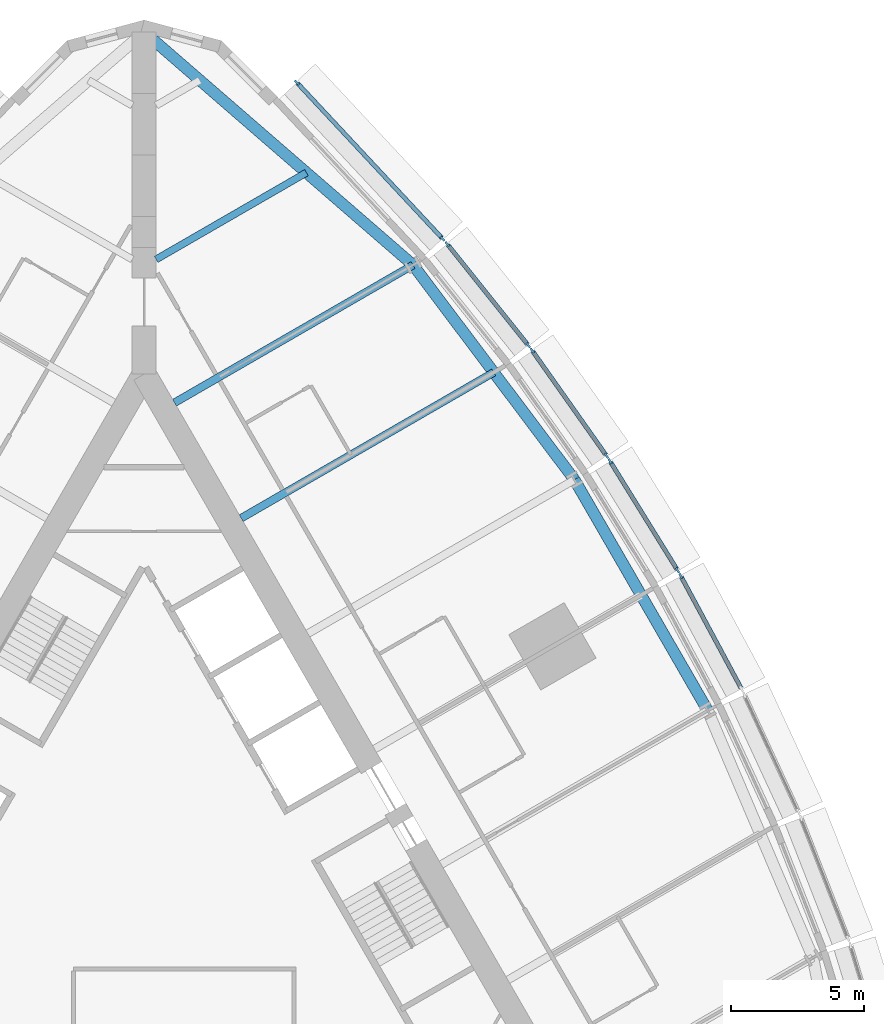
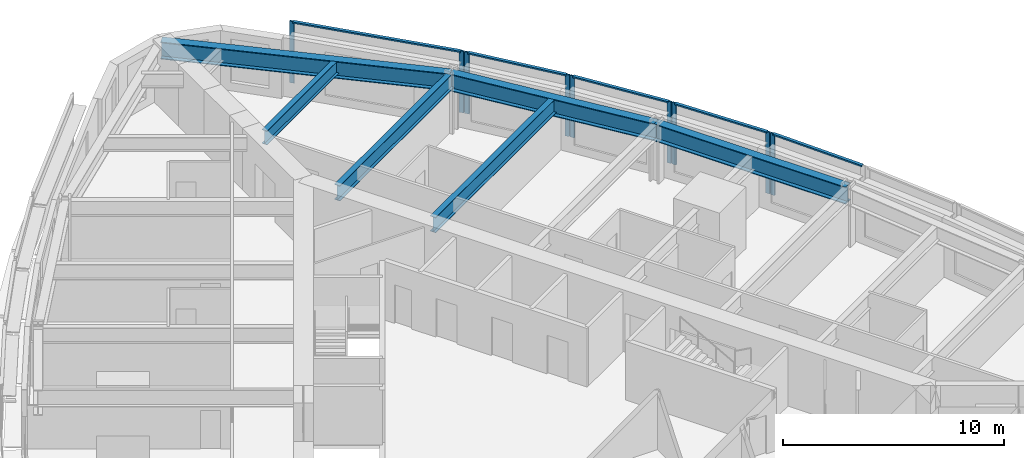
# One storey, part 5 of 14: 14 members, 6 beams, 5 elements without a shape of their own.
"""IFC4 building model written with IfcOpenShell, lengths in metres."""

from ifc_helpers import new_model, si_unit, direction, frame, origin, origin_2d, place, context, subcontext, project, spatial, rectangle, i_section, extrude, material, material_profile, profile_set, type_object, element, aggregate, save


model = new_model("IFC4")

# Units and contexts
model_context = context("Model", 3, precision=1e-05, world=origin(), true_north=direction((0.0, 1.0)))
body_context = subcontext(model_context, "Body", "Model", "MODEL_VIEW")
ifc_project = project(units=[si_unit("LENGTHUNIT", "METRE"), si_unit("AREAUNIT", "SQUARE_METRE"), si_unit("VOLUMEUNIT", "CUBIC_METRE"), si_unit("PLANEANGLEUNIT", "RADIAN"), si_unit("MASSUNIT", "GRAM", prefix="KILO")], contexts=[model_context])

# Site, building, storey
site_placement = place(None, origin())
site = spatial("IfcSite", under=ifc_project, at=site_placement, CompositionType="ELEMENT")
building_placement = place(site_placement, origin())
building = spatial("IfcBuilding", under=site, at=building_placement, Name="Trikona Tower", CompositionType="ELEMENT")
storey_placement = place(building_placement, frame((0.0, 0.0, 96.5)))
storey = spatial("IfcBuildingStorey", under=building, at=storey_placement, Name="L25", CompositionType="ELEMENT", Elevation=96.5)

# Curtain wall, member
ifc_material_1 = material(Name="Aluminium curtain wall system", Category="aluminium")
curtain_wall_type = type_object("IfcCurtainWallType", Name="Curtain wall DS1", PredefinedType="NOTDEFINED", material=ifc_material_1)
curtain_wall_1_placement = place(storey_placement, origin())
curtain_wall_1 = element("IfcCurtainWall", 1, at=curtain_wall_1_placement, inside=storey, type_object=curtain_wall_type, Name="Curtain wall DS1 L25", PredefinedType="NOTDEFINED")
ifc_material_2 = material(Name="Aluminium mullion, pale anodised", Category="aluminium")
ifc_material_profile_1 = material_profile(ifc_material_2, rectangle(XDim=0.080078125, YDim=0.219970703125, at=origin_2d()), Name="MUL-DS1")
ifc_profile_set_1 = profile_set([ifc_material_profile_1], Name="Aluminium mullion, pale anodised")
member_type_1 = type_object("IfcMemberType", Name="Mullion DS1 80x220", PredefinedType="MULLION", material=ifc_profile_set_1)
member_1_placement = place(storey_placement, frame((20.128662109375, 11.474365234375, 0.0), z_axis=(0.0, 0.0, 1.0), x_axis=(-0.880843080975, -0.473408350896, 0.0)))
member_1 = element("IfcMember", 2, at=member_1_placement, type_object=member_type_1, Name="CW-DS1 mullion 2", PredefinedType="MULLION", context=body_context, shape_type="SweptSolid", body=[
    extrude(rectangle(XDim=0.080078125, YDim=0.219970703125, at=origin_2d()), origin(), (0.0, 0.0, 1.0), 3.39990234375),
])

# Curtain wall, members
curtain_wall_2_placement = place(storey_placement, origin())
curtain_wall_2 = element("IfcCurtainWall", 3, at=curtain_wall_2_placement, inside=storey, type_object=curtain_wall_type, Name="Curtain wall DS1 L25", PredefinedType="NOTDEFINED")
member_2_placement = place(storey_placement, frame((20.00146484375, 11.69482421875, 0.0), z_axis=(0.0, 0.0, 1.0), x_axis=(-0.850410468941, -0.526119790842, 0.0)))
member_2 = element("IfcMember", 4, at=member_2_placement, type_object=member_type_1, Name="CW-DS1 mullion 1", PredefinedType="MULLION", context=body_context, shape_type="SweptSolid", body=[
    extrude(rectangle(XDim=0.080078125, YDim=0.219970703125, at=origin_2d()), origin(), (0.0, 0.0, 1.0), 3.39990234375),
])
member_3_placement = place(storey_placement, frame((17.474853515625, 15.77880859375, 0.0), z_axis=(0.0, 0.0, 1.0), x_axis=(-0.850410468941, -0.526119790842, 0.0)))
member_3 = element("IfcMember", 5, at=member_3_placement, type_object=member_type_1, Name="CW-DS1 mullion 2", PredefinedType="MULLION", context=body_context, shape_type="SweptSolid", body=[
    extrude(rectangle(XDim=0.080078125, YDim=0.219970703125, at=origin_2d()), origin(), (0.0, 0.0, 1.0), 3.39990234375),
])

curtain_wall_3_placement = place(storey_placement, origin())
curtain_wall_3 = element("IfcCurtainWall", 6, at=curtain_wall_3_placement, inside=storey, type_object=curtain_wall_type, Name="Curtain wall DS1 L25", PredefinedType="NOTDEFINED")
member_4_placement = place(storey_placement, frame((17.33447265625, 15.990966796875, 0.0), z_axis=(0.0, 0.0, 1.0), x_axis=(-0.816985393055, -0.576658362928, 0.0)))
member_4 = element("IfcMember", 7, at=member_4_placement, type_object=member_type_1, Name="CW-DS1 mullion 1", PredefinedType="MULLION", context=body_context, shape_type="SweptSolid", body=[
    extrude(rectangle(XDim=0.080078125, YDim=0.219970703125, at=origin_2d()), origin(), (0.0, 0.0, 1.0), 3.39990234375),
])
member_5_placement = place(storey_placement, frame((14.554443359375, 19.929443359375, 0.0), z_axis=(0.0, 0.0, 1.0), x_axis=(-0.816985393055, -0.576658362928, 0.0)))
member_5 = element("IfcMember", 8, at=member_5_placement, type_object=member_type_1, Name="CW-DS1 mullion 2", PredefinedType="MULLION", context=body_context, shape_type="SweptSolid", body=[
    extrude(rectangle(XDim=0.080078125, YDim=0.219970703125, at=origin_2d()), origin(), (0.0, 0.0, 1.0), 3.39990234375),
])

curtain_wall_4_placement = place(storey_placement, origin())
curtain_wall_4 = element("IfcCurtainWall", 9, at=curtain_wall_4_placement, inside=storey, type_object=curtain_wall_type, Name="Curtain wall DS1 L25", PredefinedType="NOTDEFINED")
member_6_placement = place(storey_placement, frame((14.40185546875, 20.13232421875, 0.0), z_axis=(0.0, 0.0, 1.0), x_axis=(-0.780937959679, -0.624608599951, 0.0)))
member_6 = element("IfcMember", 10, at=member_6_placement, type_object=member_type_1, Name="CW-DS1 mullion 1", PredefinedType="MULLION", context=body_context, shape_type="SweptSolid", body=[
    extrude(rectangle(XDim=0.080078125, YDim=0.219970703125, at=origin_2d()), origin(), (0.0, 0.0, 1.0), 3.39990234375),
])
member_7_placement = place(storey_placement, frame((11.36767578125, 23.926025390625, 0.0), z_axis=(0.0, 0.0, 1.0), x_axis=(-0.780937959679, -0.624608599951, 0.0)))
member_7 = element("IfcMember", 11, at=member_7_placement, type_object=member_type_1, Name="CW-DS1 mullion 2", PredefinedType="MULLION", context=body_context, shape_type="SweptSolid", body=[
    extrude(rectangle(XDim=0.080078125, YDim=0.219970703125, at=origin_2d()), origin(), (0.0, 0.0, 1.0), 3.39990234375),
])

curtain_wall_5_placement = place(storey_placement, origin())
curtain_wall_5 = element("IfcCurtainWall", 12, at=curtain_wall_5_placement, inside=storey, type_object=curtain_wall_type, Name="Curtain wall DS1 L25", PredefinedType="NOTDEFINED")
member_8_placement = place(storey_placement, frame((11.192138671875, 24.129150390625, 0.0), z_axis=(0.0, 0.0, 1.0), x_axis=(-0.731076639405, -0.682295351967, 0.0)))
member_8 = element("IfcMember", 13, at=member_8_placement, type_object=member_type_1, Name="CW-DS1 mullion 1", PredefinedType="MULLION", context=body_context, shape_type="SweptSolid", body=[
    extrude(rectangle(XDim=0.080078125, YDim=0.219970703125, at=origin_2d()), origin(), (0.0, 0.0, 1.0), 3.39990234375),
])
member_9_placement = place(storey_placement, frame((5.72607421875, 29.98583984375, 0.0), z_axis=(0.0, 0.0, 1.0), x_axis=(-0.731076639405, -0.682295351967, 0.0)))
member_9 = element("IfcMember", 14, at=member_9_placement, type_object=member_type_1, Name="CW-DS1 mullion 2", PredefinedType="MULLION", context=body_context, shape_type="SweptSolid", body=[
    extrude(rectangle(XDim=0.080078125, YDim=0.219970703125, at=origin_2d()), origin(), (0.0, 0.0, 1.0), 3.39990234375),
])

# Beams
ifc_material_3 = material(Name="Steel ASTM A992 Grade 50", Category="steel")
ifc_material_profile_2 = material_profile(ifc_material_3, i_section(OverallWidth=0.2666015625, OverallDepth=0.76953125, WebThickness=0.015625, FlangeThickness=0.025390625, at=origin_2d()), Name="W30X132")
ifc_profile_set_2 = profile_set([ifc_material_profile_2], Name="Steel ASTM A992 Grade 50")
beam_type_1 = type_object("IfcBeamType", Name="Steel beam W30x132 (wedge)", PredefinedType="BEAM", material=ifc_profile_set_2)
beam_1_placement = place(storey_placement, frame((0.449951171875, 23.353759765625, 2.85009765625), z_axis=(0.866022504693, 0.50000502134, 0.0), x_axis=(-0.50000502134, 0.866022504693, 0.0)))
element("IfcBeam", 15, at=beam_1_placement, inside=storey, type_object=beam_type_1, Name="Floor beam L26 F2 u20", PredefinedType="BEAM", context=body_context, shape_type="SweptSolid", body=[
    extrude(i_section(OverallWidth=0.2666015625, OverallDepth=0.76953125, WebThickness=0.015625, FlangeThickness=0.025390625, at=origin_2d()), origin(), (0.0, 0.0, 1.0), 6.5068359375),
])
ifc_material_4 = material(Name="Steel ASTM A992 Grade 50", Category="steel")
ifc_material_profile_3 = material_profile(ifc_material_4, i_section(OverallWidth=0.2919921875, OverallDepth=0.845703125, WebThickness=0.015380859375, FlangeThickness=0.0244140625, at=origin_2d()), Name="W33X141")
ifc_profile_set_3 = profile_set([ifc_material_profile_3], Name="Steel ASTM A992 Grade 50")
beam_type_2 = type_object("IfcBeamType", Name="Steel beam W33x141 (radial typ)", PredefinedType="BEAM", material=ifc_profile_set_3)
beam_2_placement = place(storey_placement, frame((3.6396484375, 13.6484375, 2.81201171875), z_axis=(0.866025348605, 0.500000095573, 0.0), x_axis=(-0.500000095573, 0.866025348605, 0.0)))
element("IfcBeam", 16, at=beam_2_placement, inside=storey, type_object=beam_type_2, Name="Floor beam L26 F2 u10", PredefinedType="BEAM", context=body_context, shape_type="SweptSolid", body=[
    extrude(i_section(OverallWidth=0.2919921875, OverallDepth=0.845703125, WebThickness=0.015380859375, FlangeThickness=0.0244140625, at=origin_2d()), origin(), (0.0, 0.0, 1.0), 10.935546875),
])
beam_3_placement = place(storey_placement, frame((1.1396484375, 17.978515625, 2.81201171875), z_axis=(0.866030471684, 0.499991222037, 0.0), x_axis=(-0.499991222037, 0.866030471684, 0.0)))
element("IfcBeam", 17, at=beam_3_placement, inside=storey, type_object=beam_type_2, Name="Floor beam L26 F2 u15", PredefinedType="BEAM", context=body_context, shape_type="SweptSolid", body=[
    extrude(i_section(OverallWidth=0.2919921875, OverallDepth=0.845703125, WebThickness=0.015380859375, FlangeThickness=0.0244140625, at=origin_2d()), origin(), (0.0, 0.0, 1.0), 10.326904296875),
])
ifc_material_5 = material(Name="Steel ASTM A992 Grade 50", Category="steel")
ifc_material_profile_4 = material_profile(ifc_material_5, i_section(OverallWidth=0.424072265625, OverallDepth=0.947509765625, WebThickness=0.02392578125, FlangeThickness=0.042724609375, at=origin_2d()), Name="W36X302")
ifc_profile_set_4 = profile_set([ifc_material_profile_4], Name="Steel ASTM A992 Grade 50")
beam_type_3 = type_object("IfcBeamType", Name="Steel beam W36x302 (spandrel)", PredefinedType="SPANDREL", material=ifc_profile_set_4)
beam_4_placement = place(storey_placement, frame((21.13720703125, 6.43017578125, 2.76123046875), z_axis=(-0.500004234368, 0.866022959057, 0.0), x_axis=(-0.866022959057, -0.500004234368, 0.0)))
element("IfcBeam", 18, at=beam_4_placement, inside=storey, type_object=beam_type_3, Name="Spandrel beam L26 F2-3", PredefinedType="SPANDREL", context=body_context, shape_type="SweptSolid", body=[
    extrude(i_section(OverallWidth=0.424072265625, OverallDepth=0.947509765625, WebThickness=0.02392578125, FlangeThickness=0.042724609375, at=origin_2d()), origin(), (0.0, 0.0, 1.0), 10.0),
])
beam_5_placement = place(storey_placement, frame((16.13720703125, 15.09033203125, 2.76123046875), z_axis=(-0.600988344191, 0.799257787042, 0.0), x_axis=(-0.799257787042, -0.600988344191, 0.0)))
element("IfcBeam", 19, at=beam_5_placement, inside=storey, type_object=beam_type_3, Name="Spandrel beam L26 F2-4", PredefinedType="SPANDREL", context=body_context, shape_type="SweptSolid", body=[
    extrude(i_section(OverallWidth=0.424072265625, OverallDepth=0.947509765625, WebThickness=0.02392578125, FlangeThickness=0.042724609375, at=origin_2d()), origin(), (0.0, 0.0, 1.0), 10.07373046875),
])
beam_6_placement = place(storey_placement, frame((10.0830078125, 23.141845703125, 2.76123046875), z_axis=(-0.755646822726, 0.654979296851, 0.0), x_axis=(-0.654979296851, -0.755646822726, 0.0)))
element("IfcBeam", 20, at=beam_6_placement, inside=storey, type_object=beam_type_3, Name="Spandrel beam L26 F2-5", PredefinedType="SPANDREL", context=body_context, shape_type="SweptSolid", body=[
    extrude(i_section(OverallWidth=0.424072265625, OverallDepth=0.947509765625, WebThickness=0.02392578125, FlangeThickness=0.042724609375, at=origin_2d()), origin(), (0.0, 0.0, 1.0), 13.343505859375),
])

# Member
ifc_material_6 = material(Name="Aluminium transom, pale anodised", Category="aluminium")
ifc_material_profile_5 = material_profile(ifc_material_6, rectangle(XDim=0.159912109375, YDim=0.080078125, at=origin_2d()), Name="TRN-DS1")
ifc_profile_set_5 = profile_set([ifc_material_profile_5], Name="Aluminium transom, pale anodised")
member_type_2 = type_object("IfcMemberType", Name="Transom DS1 80x160", PredefinedType="USERDEFINED", material=ifc_profile_set_5)
member_10_placement = place(storey_placement, frame((22.38330078125, 7.279541015625, 3.360107421875), z_axis=(-0.473427569755, 0.880832751546, 0.0), x_axis=(-0.880832751546, -0.473427569755, 0.0)))
member_10 = element("IfcMember", 21, at=member_10_placement, type_object=member_type_2, Name="CW-DS1 transom 1.1", ObjectType="TRANSOM", PredefinedType="USERDEFINED", context=body_context, shape_type="SweptSolid", body=[
    extrude(rectangle(XDim=0.159912109375, YDim=0.080078125, at=origin_2d()), origin(), (0.0, 0.0, 1.0), 4.72216796875),
])

aggregate(curtain_wall_1, [member_1, member_10])

member_11_placement = place(storey_placement, frame((19.980224609375, 11.728759765625, 3.360107421875), z_axis=(-0.526080502257, 0.850434774186, 0.0), x_axis=(-0.850434774186, -0.526080502257, 0.0)))
member_11 = element("IfcMember", 22, at=member_11_placement, type_object=member_type_2, Name="CW-DS1 transom 1.1", ObjectType="TRANSOM", PredefinedType="USERDEFINED", context=body_context, shape_type="SweptSolid", body=[
    extrude(rectangle(XDim=0.159912109375, YDim=0.080078125, at=origin_2d()), origin(), (0.0, 0.0, 1.0), 4.722412109375),
])

aggregate(curtain_wall_2, [member_2, member_3, member_11])

member_12_placement = place(storey_placement, frame((17.311279296875, 16.023681640625, 3.360107421875), z_axis=(-0.57664478015, 0.816994980111, 0.0), x_axis=(-0.816994980111, -0.57664478015, 0.0)))
member_12 = element("IfcMember", 23, at=member_12_placement, type_object=member_type_2, Name="CW-DS1 transom 1.1", ObjectType="TRANSOM", PredefinedType="USERDEFINED", context=body_context, shape_type="SweptSolid", body=[
    extrude(rectangle(XDim=0.159912109375, YDim=0.080078125, at=origin_2d()), origin(), (0.0, 0.0, 1.0), 4.740478515625),
])

aggregate(curtain_wall_3, [member_4, member_5, member_12])

member_13_placement = place(storey_placement, frame((14.376953125, 20.16357421875, 3.360107421875), z_axis=(-0.624589103832, 0.780953552636, 0.0), x_axis=(-0.780953552636, -0.624589103832, 0.0)))
member_13 = element("IfcMember", 24, at=member_13_placement, type_object=member_type_2, Name="CW-DS1 transom 1.1", ObjectType="TRANSOM", PredefinedType="USERDEFINED", context=body_context, shape_type="SweptSolid", body=[
    extrude(rectangle(XDim=0.159912109375, YDim=0.080078125, at=origin_2d()), origin(), (0.0, 0.0, 1.0), 4.77783203125),
])

aggregate(curtain_wall_4, [member_6, member_7, member_13])

member_14_placement = place(storey_placement, frame((11.164794921875, 24.158203125, 3.360107421875), z_axis=(-0.682290830921, 0.731080858758, 0.0), x_axis=(-0.731080858758, -0.682290830921, 0.0)))
member_14 = element("IfcMember", 25, at=member_14_placement, type_object=member_type_2, Name="CW-DS1 transom 1.1", ObjectType="TRANSOM", PredefinedType="USERDEFINED", context=body_context, shape_type="SweptSolid", body=[
    extrude(rectangle(XDim=0.159912109375, YDim=0.080078125, at=origin_2d()), origin(), (0.0, 0.0, 1.0), 7.93115234375),
])

aggregate(curtain_wall_5, [member_8, member_9, member_14])

save(model, "model.ifc")
